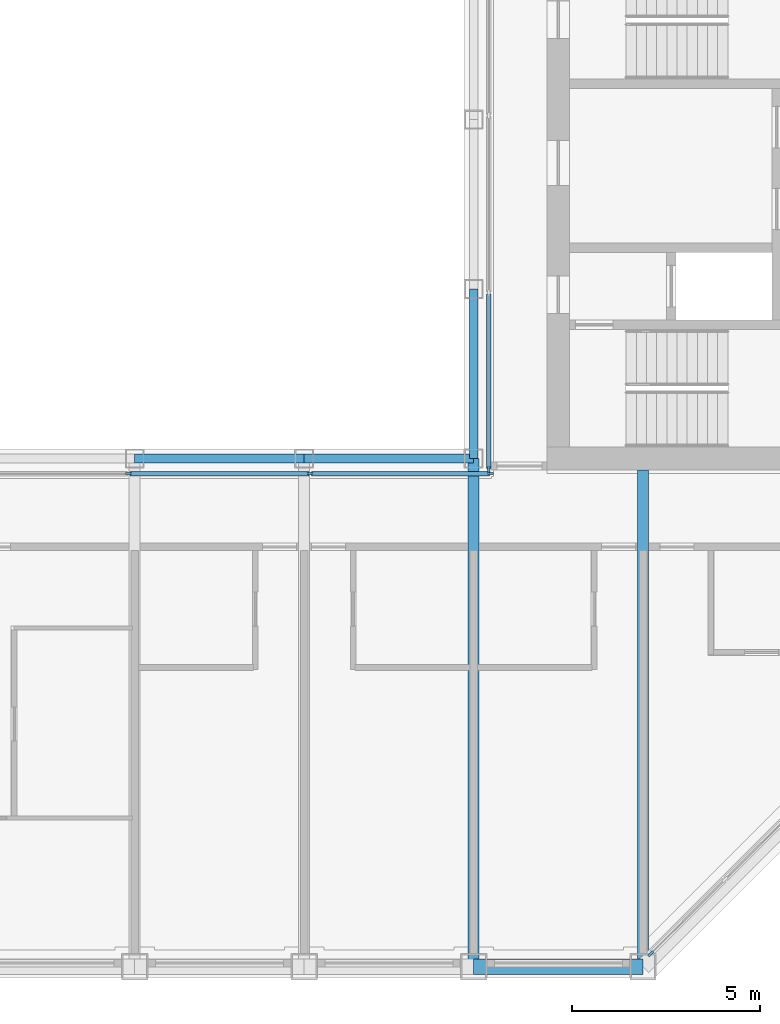
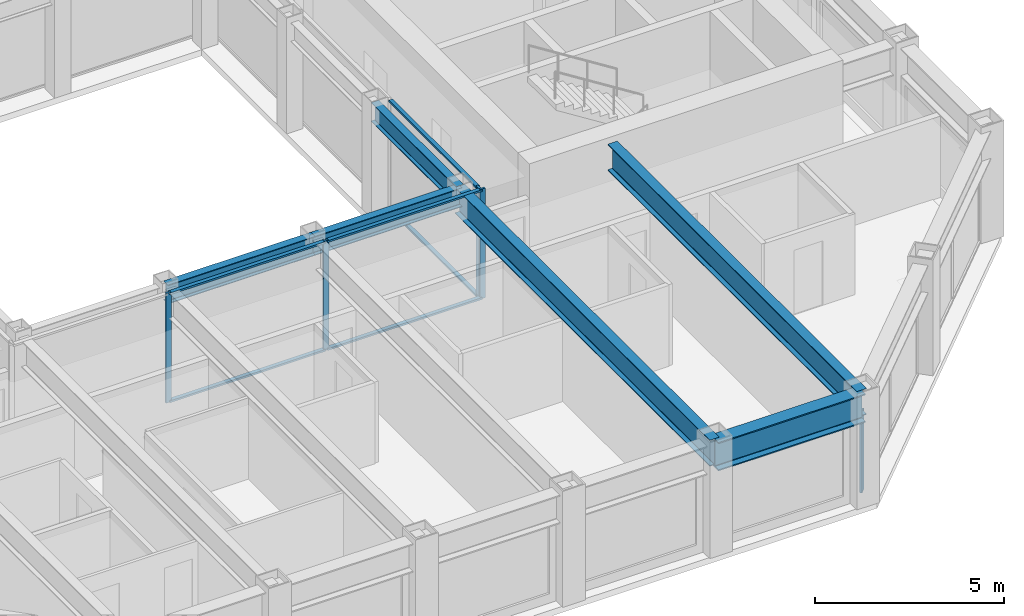
# One storey, part 3 of 18: 11 members, 6 beams, 3 elements without a shape of their own.
"""IFC4 building model written with IfcOpenShell, lengths in metres."""

from ifc_helpers import new_model, si_unit, direction, frame, origin, origin_2d, place, context, subcontext, project, spatial, rectangle, i_section, extrude, material, material_profile, profile_set, type_object, element, aggregate, save


model = new_model("IFC4")

# Units and contexts
model_context = context("Model", 3, precision=1e-05, world=origin(), true_north=direction((0.0, 1.0)))
body_context = subcontext(model_context, "Body", "Model", "MODEL_VIEW")
ifc_project = project(units=[si_unit("LENGTHUNIT", "METRE"), si_unit("AREAUNIT", "SQUARE_METRE"), si_unit("VOLUMEUNIT", "CUBIC_METRE"), si_unit("PLANEANGLEUNIT", "RADIAN"), si_unit("MASSUNIT", "GRAM", prefix="KILO")], contexts=[model_context])

# Site, building, storey
site_placement = place(None, origin())
site = spatial("IfcSite", under=ifc_project, at=site_placement, CompositionType="ELEMENT")
building_placement = place(site_placement, origin())
building = spatial("IfcBuilding", under=site, at=building_placement, Name="Msasa Ring Tower", CompositionType="ELEMENT")
storey_placement = place(building_placement, frame((0.0, 0.0, 230.800048828125)))
storey = spatial("IfcBuildingStorey", under=building, at=storey_placement, Name="L60", CompositionType="ELEMENT", Elevation=230.800048828125)

# Curtain wall, member
ifc_material_1 = material(Name="Aluminium curtain wall with clear glass", Category="aluminium")
curtain_wall_type_1 = type_object("IfcCurtainWallType", Name="CW-C CHAMFER CORNER CURTAIN WALL", PredefinedType="NOTDEFINED", material=ifc_material_1)
curtain_wall_1_placement = place(storey_placement, origin())
curtain_wall_1 = element("IfcCurtainWall", 1, at=curtain_wall_1_placement, inside=storey, type_object=curtain_wall_type_1, Name="Chamfer corner curtain wall SE L60", PredefinedType="NOTDEFINED")
ifc_material_2 = material(Name="Aluminium mullion", Category="aluminium")
ifc_material_profile_1 = material_profile(ifc_material_2, rectangle(XDim=0.06494140625, YDim=0.179931640625, at=origin_2d()), Name="AL 65x180")
ifc_profile_set_1 = profile_set([ifc_material_profile_1], Name="Aluminium mullion")
member_type_1 = type_object("IfcMemberType", Name="CW-C MULLION 65x180", PredefinedType="MULLION", material=ifc_profile_set_1)
member_1_placement = place(storey_placement, frame((11.453369140625, -19.9052734375, 0.0), z_axis=(0.0, 0.0, 1.0), x_axis=(-0.707106781187, 0.707106781187, 0.0)))
member_1 = element("IfcMember", 2, at=member_1_placement, type_object=member_type_1, Name="CW-C mullion 1", PredefinedType="MULLION", context=body_context, shape_type="SweptSolid", body=[
    extrude(rectangle(XDim=0.06494140625, YDim=0.179931640625, at=origin_2d()), origin(), (0.0, 0.0, 1.0), 2.62890625),
])
aggregate(curtain_wall_1, [member_1])

# Curtain wall, members
ifc_material_3 = material(Name="Aluminium curtain wall with clear glass", Category="aluminium")
curtain_wall_type_2 = type_object("IfcCurtainWallType", Name="CW-W LIGHT WELL CURTAIN WALL", PredefinedType="NOTDEFINED", material=ifc_material_3)
curtain_wall_2_placement = place(storey_placement, origin())
curtain_wall_2 = element("IfcCurtainWall", 3, at=curtain_wall_2_placement, inside=storey, type_object=curtain_wall_type_2, Name="Light well curtain wall S L60", PredefinedType="NOTDEFINED")
ifc_material_4 = material(Name="Aluminium mullion", Category="aluminium")
ifc_material_profile_2 = material_profile(ifc_material_4, rectangle(XDim=0.06005859375, YDim=0.159912109375, at=origin_2d()), Name="AL 60x160")
ifc_profile_set_2 = profile_set([ifc_material_profile_2], Name="Aluminium mullion")
member_type_2 = type_object("IfcMemberType", Name="CW-W MULLION 60x160", PredefinedType="MULLION", material=ifc_profile_set_2)
member_2_placement = place(storey_placement, frame((-2.409912109375, -7.14990234375, 0.0), z_axis=(0.0, 0.0, 1.0), x_axis=(0.0, 1.0, 0.0)))
member_2 = element("IfcMember", 4, at=member_2_placement, type_object=member_type_2, Name="CW-W mullion 2", PredefinedType="MULLION", context=body_context, shape_type="SweptSolid", body=[
    extrude(rectangle(XDim=0.06005859375, YDim=0.159912109375, at=origin_2d()), origin(), (0.0, 0.0, 1.0), 3.550048828125),
])
member_3_placement = place(storey_placement, frame((2.409912109375, -7.14990234375, 0.0), z_axis=(0.0, 0.0, 1.0), x_axis=(0.0, 1.0, 0.0)))
member_3 = element("IfcMember", 5, at=member_3_placement, type_object=member_type_2, Name="CW-W mullion 3", PredefinedType="MULLION", context=body_context, shape_type="SweptSolid", body=[
    extrude(rectangle(XDim=0.06005859375, YDim=0.159912109375, at=origin_2d()), origin(), (0.0, 0.0, 1.0), 3.550048828125),
])
member_4_placement = place(storey_placement, frame((7.199951171875, -7.14990234375, 0.0), z_axis=(0.0, 0.0, 1.0), x_axis=(0.0, 1.0, 0.0)))
member_4 = element("IfcMember", 6, at=member_4_placement, type_object=member_type_2, Name="CW-W mullion 4", PredefinedType="MULLION", context=body_context, shape_type="SweptSolid", body=[
    extrude(rectangle(XDim=0.06005859375, YDim=0.159912109375, at=origin_2d()), origin(), (0.0, 0.0, 1.0), 3.550048828125),
])

# Curtain wall, member
curtain_wall_3_placement = place(storey_placement, origin())
curtain_wall_3 = element("IfcCurtainWall", 7, at=curtain_wall_3_placement, inside=storey, type_object=curtain_wall_type_2, Name="Light well curtain wall E L60", PredefinedType="NOTDEFINED")
member_5_placement = place(storey_placement, frame((7.14990234375, -7.0400390625, 0.0), z_axis=(0.0, 0.0, 1.0), x_axis=(-1.0, 0.0, 0.0)))
member_5 = element("IfcMember", 8, at=member_5_placement, type_object=member_type_2, Name="CW-W mullion 1", PredefinedType="MULLION", context=body_context, shape_type="SweptSolid", body=[
    extrude(rectangle(XDim=0.06005859375, YDim=0.159912109375, at=origin_2d()), origin(), (0.0, 0.0, 1.0), 3.550048828125),
])

# Member
ifc_material_5 = material(Name="Aluminium transom", Category="aluminium")
ifc_material_profile_3 = material_profile(ifc_material_5, rectangle(XDim=0.1201171875, YDim=0.06005859375, at=origin_2d()), Name="AL 60x120")
ifc_profile_set_3 = profile_set([ifc_material_profile_3], Name="Aluminium transom")
member_type_3 = type_object("IfcMemberType", Name="CW-W TRANSOM 60x120", PredefinedType="USERDEFINED", material=ifc_profile_set_3)
member_6_placement = place(storey_placement, frame((-2.3798828125, -7.14990234375, 0.030029296875), z_axis=(1.0, 0.0, 0.0), x_axis=(0.0, 1.0, 0.0)))
member_6 = element("IfcMember", 9, at=member_6_placement, type_object=member_type_3, Name="CW-W transom 2.1", ObjectType="TRANSOM", PredefinedType="USERDEFINED", context=body_context, shape_type="SweptSolid", body=[
    extrude(rectangle(XDim=0.1201171875, YDim=0.06005859375, at=origin_2d()), origin(), (0.0, 0.0, 1.0), 4.759765625),
])

member_7_placement = place(storey_placement, frame((-2.3798828125, -7.14990234375, 3.52001953125), z_axis=(1.0, 0.0, 0.0), x_axis=(0.0, 1.0, 0.0)))
member_7 = element("IfcMember", 10, at=member_7_placement, type_object=member_type_3, Name="CW-W transom 2.2", ObjectType="TRANSOM", PredefinedType="USERDEFINED", context=body_context, shape_type="SweptSolid", body=[
    extrude(rectangle(XDim=0.1201171875, YDim=0.06005859375, at=origin_2d()), origin(), (0.0, 0.0, 1.0), 4.759765625),
])

member_8_placement = place(storey_placement, frame((2.43994140625, -7.14990234375, 0.030029296875), z_axis=(1.0, 0.0, 0.0), x_axis=(0.0, 1.0, 0.0)))
member_8 = element("IfcMember", 11, at=member_8_placement, type_object=member_type_3, Name="CW-W transom 3.1", ObjectType="TRANSOM", PredefinedType="USERDEFINED", context=body_context, shape_type="SweptSolid", body=[
    extrude(rectangle(XDim=0.1201171875, YDim=0.06005859375, at=origin_2d()), origin(), (0.0, 0.0, 1.0), 4.72998046875),
])

member_9_placement = place(storey_placement, frame((2.43994140625, -7.14990234375, 3.52001953125), z_axis=(1.0, 0.0, 0.0), x_axis=(0.0, 1.0, 0.0)))
member_9 = element("IfcMember", 12, at=member_9_placement, type_object=member_type_3, Name="CW-W transom 3.2", ObjectType="TRANSOM", PredefinedType="USERDEFINED", context=body_context, shape_type="SweptSolid", body=[
    extrude(rectangle(XDim=0.1201171875, YDim=0.06005859375, at=origin_2d()), origin(), (0.0, 0.0, 1.0), 4.72998046875),
])

aggregate(curtain_wall_2, [member_2, member_3, member_4, member_6, member_7, member_8, member_9])

member_10_placement = place(storey_placement, frame((7.14990234375, -7.010009765625, 0.030029296875), z_axis=(0.0, 1.0, 0.0), x_axis=(-1.0, 0.0, 0.0)))
member_10 = element("IfcMember", 13, at=member_10_placement, type_object=member_type_3, Name="CW-W transom 1.1", ObjectType="TRANSOM", PredefinedType="USERDEFINED", context=body_context, shape_type="SweptSolid", body=[
    extrude(rectangle(XDim=0.1201171875, YDim=0.06005859375, at=origin_2d()), origin(), (0.0, 0.0, 1.0), 4.623291015625),
])

member_11_placement = place(storey_placement, frame((7.14990234375, -7.010009765625, 3.52001953125), z_axis=(0.0, 1.0, 0.0), x_axis=(-1.0, 0.0, 0.0)))
member_11 = element("IfcMember", 14, at=member_11_placement, type_object=member_type_3, Name="CW-W transom 1.2", ObjectType="TRANSOM", PredefinedType="USERDEFINED", context=body_context, shape_type="SweptSolid", body=[
    extrude(rectangle(XDim=0.1201171875, YDim=0.06005859375, at=origin_2d()), origin(), (0.0, 0.0, 1.0), 4.623291015625),
])

aggregate(curtain_wall_3, [member_5, member_10, member_11])

# Beams
ifc_material_6 = material(Name="Steel S355", Category="steel")
ifc_material_profile_4 = material_profile(ifc_material_6, i_section(OverallWidth=0.293701171875, OverallDepth=0.850830078125, WebThickness=0.01611328125, FlangeThickness=0.02685546875, FilletRadius=0.017822265625, at=origin_2d()), Name="UB 838x292x226")
ifc_profile_set_4 = profile_set([ifc_material_profile_4], Name="Steel S355")
beam_type_1 = type_object("IfcBeamType", Name="FB5 UB 838x292x226", PredefinedType="BEAM", material=ifc_profile_set_4)
beam_1_placement = place(storey_placement, frame((6.75, -20.25, 3.12451171875), z_axis=(0.0, 1.0, 0.0), x_axis=(-1.0, 0.0, 0.0)))
element("IfcBeam", 15, at=beam_1_placement, inside=storey, type_object=beam_type_1, Name="Floor beam S+6.75 under L61", PredefinedType="BEAM", context=body_context, shape_type="SweptSolid", body=[
    extrude(i_section(OverallWidth=0.293701171875, OverallDepth=0.850830078125, WebThickness=0.01611328125, FlangeThickness=0.02685546875, FilletRadius=0.017822265625, at=origin_2d()), origin(), (0.0, 0.0, 1.0), 13.5),
])
beam_2_placement = place(storey_placement, frame((11.25, -20.25, 3.12451171875), z_axis=(0.0, 1.0, 0.0), x_axis=(-1.0, 0.0, 0.0)))
element("IfcBeam", 16, at=beam_2_placement, inside=storey, type_object=beam_type_1, Name="Floor beam S+11.25 under L61", PredefinedType="BEAM", context=body_context, shape_type="SweptSolid", body=[
    extrude(i_section(OverallWidth=0.293701171875, OverallDepth=0.850830078125, WebThickness=0.01611328125, FlangeThickness=0.02685546875, FilletRadius=0.017822265625, at=origin_2d()), origin(), (0.0, 0.0, 1.0), 13.199951171875),
])
ifc_material_7 = material(Name="Steel S355", Category="steel")
ifc_material_profile_5 = material_profile(ifc_material_7, i_section(OverallWidth=0.230224609375, OverallDepth=0.6171875, WebThickness=0.01318359375, FlangeThickness=0.022216796875, FilletRadius=0.0126953125, at=origin_2d()), Name="UB 610x229x140")
ifc_profile_set_5 = profile_set([ifc_material_profile_5], Name="Steel S355")
beam_type_2 = type_object("IfcBeamType", Name="RB1 UB 610x229x140", PredefinedType="BEAM", material=ifc_profile_set_5)
for number, where, z_axis, x_axis, name in (
    (17, (-2.25, -6.75, 3.241455078125), (1.0, 0.0, 0.0), (0.0, 1.0, 0.0), "Inner ring beam IR-2.25-6.75 under L61"),
    (18, (2.25, -6.75, 3.241455078125), (1.0, 0.0, 0.0), (0.0, 1.0, 0.0), "Inner ring beam IR+2.25-6.75 under L61"),
    (19, (6.75, -6.75, 3.241455078125), (0.0, 1.0, 0.0), (-1.0, 0.0, 0.0), "Inner ring beam IR+6.75-6.75 under L61"),
):
    element("IfcBeam", number, at=place(storey_placement, frame(where, z_axis=z_axis, x_axis=x_axis)), inside=storey, type_object=beam_type_2, Name=name, PredefinedType="BEAM", context=body_context, shape_type="SweptSolid", body=[
        extrude(i_section(OverallWidth=0.230224609375, OverallDepth=0.6171875, WebThickness=0.01318359375, FlangeThickness=0.022216796875, FilletRadius=0.0126953125, at=origin_2d()), origin(), (0.0, 0.0, 1.0), 4.5),
    ])
ifc_material_8 = material(Name="Steel S355", Category="steel")
ifc_material_profile_6 = material_profile(ifc_material_8, i_section(OverallWidth=0.42041015625, OverallDepth=0.9208984375, WebThickness=0.021484375, FlangeThickness=0.03662109375, FilletRadius=0.024169921875, at=origin_2d()), Name="UB 914x419x388")
ifc_profile_set_6 = profile_set([ifc_material_profile_6], Name="Steel S355")
beam_type_3 = type_object("IfcBeamType", Name="SB1 UB 914x419x388", PredefinedType="SPANDREL", material=ifc_profile_set_6)
beam_3_placement = place(storey_placement, frame((6.75, -20.25, 3.08935546875), z_axis=(1.0, 0.0, 0.0), x_axis=(0.0, 1.0, 0.0)))
element("IfcBeam", 20, at=beam_3_placement, inside=storey, type_object=beam_type_3, Name="Spandrel S+6.75 to S+11.25 under L61", PredefinedType="SPANDREL", context=body_context, shape_type="SweptSolid", body=[
    extrude(i_section(OverallWidth=0.42041015625, OverallDepth=0.9208984375, WebThickness=0.021484375, FlangeThickness=0.03662109375, FilletRadius=0.024169921875, at=origin_2d()), origin(), (0.0, 0.0, 1.0), 4.5),
])

save(model, "model.ifc")
